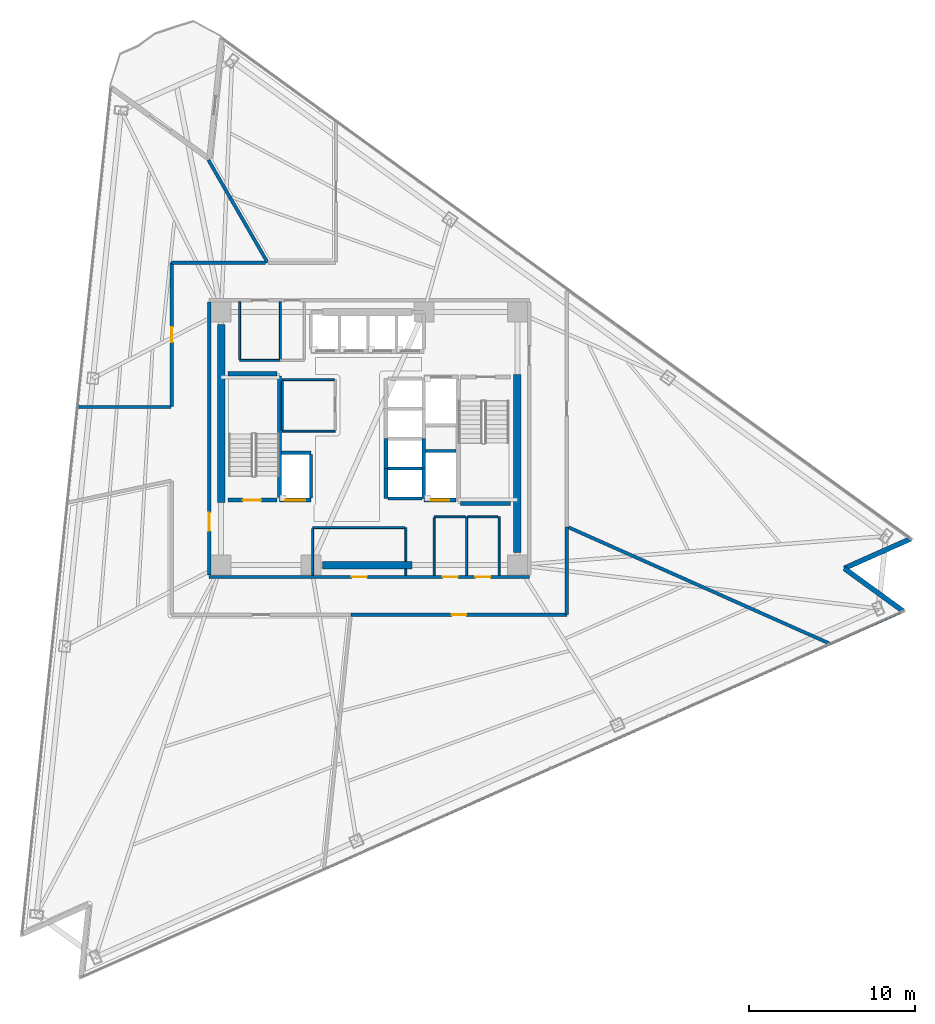
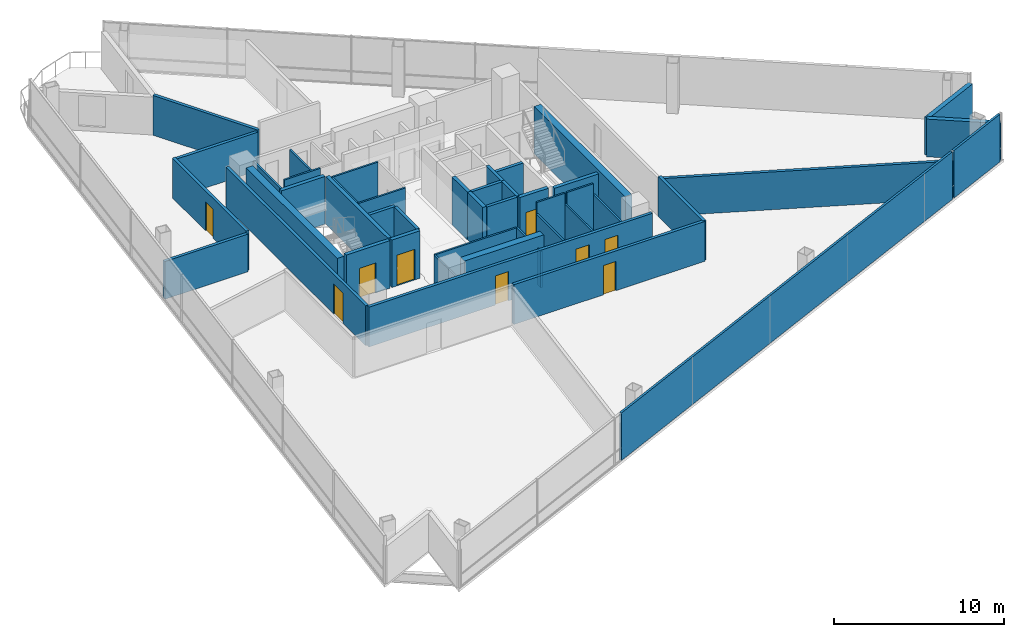
# One storey, part 11 of 16: 46 walls, 9 doors, 9 openings.
"""IFC4 building model written with IfcOpenShell, lengths in metres."""

from ifc_helpers import new_model, si_unit, direction, frame, frame_2d, origin, place, context, subcontext, project, spatial, rectangle, extrude, material, layer, layer_set, type_object, element, fill, save


model = new_model("IFC4")

# Units and contexts
model_context = context("Model", 3, precision=1e-05, world=origin(), true_north=direction((0.0, 1.0)))
body_context = subcontext(model_context, "Body", "Model", "MODEL_VIEW")
ifc_project = project(units=[si_unit("LENGTHUNIT", "METRE"), si_unit("AREAUNIT", "SQUARE_METRE"), si_unit("VOLUMEUNIT", "CUBIC_METRE"), si_unit("PLANEANGLEUNIT", "RADIAN"), si_unit("MASSUNIT", "GRAM", prefix="KILO")], contexts=[model_context])

# Site, building, storey
site_placement = place(None, origin())
site = spatial("IfcSite", under=ifc_project, at=site_placement, CompositionType="ELEMENT")
building_placement = place(site_placement, origin())
building = spatial("IfcBuilding", under=site, at=building_placement, Name="Tharavind Bronze Gate", CompositionType="ELEMENT")
storey_placement = place(building_placement, frame((0.0, 0.0, 130.449951171875)))
storey = spatial("IfcBuildingStorey", under=building, at=storey_placement, Name="L33", CompositionType="ELEMENT", Elevation=130.449951171875)

# Walls
ifc_material_1 = material(Name="Concrete C40/50", Category="concrete")
ifc_layer_1 = layer(ifc_material_1, 0.300048828125)
ifc_layer_set_1 = layer_set([ifc_layer_1], Name="Concrete C40/50")
wall_type_1 = type_object("IfcWallType", Name="EXTERIOR SPANDREL WALL 300", PredefinedType="STANDARD", material=ifc_layer_set_1)
for number, where, z_axis, x_axis, name in (
    (1, (32.099853515625, -10.3759765625, 0.0), (0.0, 0.0, 1.0), (-0.809018008275, 0.587783856777, 0.0), "L33 notch cheek wall 3A"),
    (2, (28.556396484375, -7.801513671875, 0.0), (0.0, 0.0, 1.0), (0.913542411385, 0.406743485013, 0.0), "L33 notch cheek wall 3B"),
):
    element("IfcWall", number, at=place(storey_placement, frame(where, z_axis=z_axis, x_axis=x_axis)), inside=storey, type_object=wall_type_1, Name=name, PredefinedType="STANDARD", context=body_context, shape_type="SweptSolid", body=[
        extrude(rectangle(XDim=4.3798828125, YDim=0.300048828125, at=frame_2d((2.18994140625, 0.0))), origin(), (0.0, 0.0, 1.0), 2.705078125),
    ])

# Wall, openings, doors
ifc_material_2 = material(Name="Aerated Concrete Block", Category="concrete")
ifc_layer_2 = layer(ifc_material_2, 0.199951171875)
ifc_layer_set_2 = layer_set([ifc_layer_2], Name="Aerated Concrete Block")
wall_type_2 = type_object("IfcWallType", Name="FIRE RATED PARTITION 200", PredefinedType="PARTITIONING", material=ifc_layer_set_2)
wall_1_placement = place(storey_placement, frame((-9.6201171875, -8.320068359375, 0.0), z_axis=(0.0, 0.0, 1.0), x_axis=(1.0, 0.0, 0.0)))
wall_1 = element("IfcWall", 3, at=wall_1_placement, inside=storey, type_object=wall_type_2, Name="L33 south core corridor wall", PredefinedType="PARTITIONING", context=body_context, shape_type="SweptSolid", body=[
    extrude(rectangle(XDim=19.240234375, YDim=0.199951171875, at=frame_2d((9.6201171875, 0.0))), origin(), (0.0, 0.0, 1.0), 2.85498046875),
])
opening_1_placement = place(wall_1_placement, frame((8.570068359375, 0.0, 0.0)))
opening_1 = element("IfcOpeningElement", 4, at=opening_1_placement, cuts=wall_1, Name="Opening ID07", PredefinedType="OPENING", context=body_context, shape_type="SweptSolid", body=[
    extrude(rectangle(XDim=0.89990234375, YDim=2.10009765625, at=frame_2d((0.449951171875, 1.050048828125))), frame((0.0, 0.11009765625, 0.0), z_axis=(0.0, -1.0, 0.0), x_axis=(1.0, 0.0, 0.0)), (0.0, 0.0, 1.0), 0.219951171875),
])
opening_2_placement = place(wall_1_placement, frame((14.044921875, 0.0, 0.0)))
opening_2 = element("IfcOpeningElement", 5, at=opening_2_placement, cuts=wall_1, Name="Opening ID07", PredefinedType="OPENING", context=body_context, shape_type="SweptSolid", body=[
    extrude(rectangle(XDim=0.89990234375, YDim=2.10009765625, at=frame_2d((0.449951171875, 1.050048828125))), frame((0.0, 0.11009765625, 0.0), z_axis=(0.0, -1.0, 0.0), x_axis=(1.0, 0.0, 0.0)), (0.0, 0.0, 1.0), 0.219951171875),
])
opening_3_placement = place(wall_1_placement, frame((15.9951171875, 0.0, 0.0)))
opening_3 = element("IfcOpeningElement", 6, at=opening_3_placement, cuts=wall_1, Name="Opening ID07", PredefinedType="OPENING", context=body_context, shape_type="SweptSolid", body=[
    extrude(rectangle(XDim=0.89990234375, YDim=2.10009765625, at=frame_2d((0.449951171875, 1.050048828125))), frame((0.0, 0.11009765625, 0.0), z_axis=(0.0, -1.0, 0.0), x_axis=(1.0, 0.0, 0.0)), (0.0, 0.0, 1.0), 0.219951171875),
])
ifc_material_3 = material(Name="Galvanised Fire Steel", Category="steel")
door_type_1 = type_object("IfcDoorType", Name="PLANT AND RISER FIRE DOOR 900X2100", OperationType="SINGLE_SWING_LEFT", PredefinedType="DOOR", material=ifc_material_3)
door_1_placement = place(opening_1_placement, origin())
door_1 = element("IfcDoor", 7, at=door_1_placement, inside=storey, type_object=door_type_1, Name="L33 Core BMS Control Room fire door", OperationType="SINGLE_SWING_LEFT", OverallHeight=2.10009765625, OverallWidth=0.89990234375, PredefinedType="DOOR", context=body_context, shape_type="SweptSolid", body=[
    extrude(rectangle(XDim=0.89990234375, YDim=2.10009765625, at=frame_2d((0.449951171875, 1.050048828125))), frame((0.0, 0.02490234375, 0.0), z_axis=(0.0, -1.0, 0.0), x_axis=(1.0, 0.0, 0.0)), (0.0, 0.0, 1.0), 0.050048828125),
])
fill(opening_1, door_1)
door_2_placement = place(opening_2_placement, origin())
door_2 = element("IfcDoor", 8, at=door_2_placement, inside=storey, type_object=door_type_1, Name="L33 Comms Patch Room fire door", OperationType="SINGLE_SWING_LEFT", OverallHeight=2.10009765625, OverallWidth=0.89990234375, PredefinedType="DOOR", context=body_context, shape_type="SweptSolid", body=[
    extrude(rectangle(XDim=0.89990234375, YDim=2.10009765625, at=frame_2d((0.449951171875, 1.050048828125))), frame((0.0, 0.02490234375, 0.0), z_axis=(0.0, -1.0, 0.0), x_axis=(1.0, 0.0, 0.0)), (0.0, 0.0, 1.0), 0.050048828125),
])
fill(opening_2, door_2)
door_3_placement = place(opening_3_placement, origin())
door_3 = element("IfcDoor", 9, at=door_3_placement, inside=storey, type_object=door_type_1, Name="L33 Housekeeping Store fire door", OperationType="SINGLE_SWING_LEFT", OverallHeight=2.10009765625, OverallWidth=0.89990234375, PredefinedType="DOOR", context=body_context, shape_type="SweptSolid", body=[
    extrude(rectangle(XDim=0.89990234375, YDim=2.10009765625, at=frame_2d((0.449951171875, 1.050048828125))), frame((0.0, 0.02490234375, 0.0), z_axis=(0.0, -1.0, 0.0), x_axis=(1.0, 0.0, 0.0)), (0.0, 0.0, 1.0), 0.050048828125),
])
fill(opening_3, door_3)

# Wall, opening, door
wall_2_placement = place(storey_placement, frame((-9.6201171875, 8.199951171875, 0.0), z_axis=(0.0, 0.0, 1.0), x_axis=(0.0, -1.0, 0.0)))
wall_2 = element("IfcWall", 10, at=wall_2_placement, inside=storey, type_object=wall_type_2, Name="L33 west core corridor wall", PredefinedType="PARTITIONING", context=body_context, shape_type="SweptSolid", body=[
    extrude(rectangle(XDim=16.39990234375, YDim=0.199951171875, at=frame_2d((8.199951171875, 0.0))), origin(), (0.0, 0.0, 1.0), 2.85498046875),
])
opening_4_placement = place(wall_2_placement, frame((12.64990234375, 0.0, 0.0)))
opening_4 = element("IfcOpeningElement", 11, at=opening_4_placement, cuts=wall_2, Name="Opening ID01", PredefinedType="OPENING", context=body_context, shape_type="SweptSolid", body=[
    extrude(rectangle(XDim=1.10009765625, YDim=2.14990234375, at=frame_2d((0.550048828125, 1.074951171875))), frame((0.0, 0.11009765625, 0.0), z_axis=(0.0, -1.0, 0.0), x_axis=(1.0, 0.0, 0.0)), (0.0, 0.0, 1.0), 0.219951171875),
])
ifc_material_4 = material(Name="Fire-Rated Steel", Category="steel")
door_type_2 = type_object("IfcDoorType", Name="STAIR CORE FIRE DOOR 1100X2150", OperationType="SINGLE_SWING_LEFT", PredefinedType="DOOR", material=ifc_material_4)
door_4_placement = place(opening_4_placement, frame((1.10009765625, 0.0, 0.0), z_axis=(0.0, 0.0, 1.0), x_axis=(-1.0, 0.0, 0.0)))
door_4 = element("IfcDoor", 12, at=door_4_placement, inside=storey, type_object=door_type_2, Name="L33 south west stair lobby fire door", OperationType="SINGLE_SWING_LEFT", OverallHeight=2.14990234375, OverallWidth=1.10009765625, PredefinedType="DOOR", context=body_context, shape_type="SweptSolid", body=[
    extrude(rectangle(XDim=1.10009765625, YDim=2.14990234375, at=frame_2d((0.550048828125, 1.074951171875))), frame((0.0, 0.02490234375, 0.0), z_axis=(0.0, -1.0, 0.0), x_axis=(1.0, 0.0, 0.0)), (0.0, 0.0, 1.0), 0.050048828125),
])
fill(opening_4, door_4)

wall_3_placement = place(storey_placement, frame((-1.089599609375, -10.580078125, 0.0), z_axis=(0.0, 0.0, 1.0), x_axis=(1.0, 0.0, 0.0)))
wall_3 = element("IfcWall", 13, at=wall_3_placement, inside=storey, type_object=wall_type_2, Name="L33 Public Restrooms Block partition", PredefinedType="PARTITIONING", context=body_context, shape_type="SweptSolid", body=[
    extrude(rectangle(XDim=12.968994140625, YDim=0.199951171875, at=frame_2d((6.484375, 0.0))), origin(), (0.0, 0.0, 1.0), 2.85498046875),
])
opening_5_placement = place(wall_3_placement, frame((6.05908203125, 0.0, 0.0)))
opening_5 = element("IfcOpeningElement", 14, at=opening_5_placement, cuts=wall_3, Name="Opening ID06", PredefinedType="OPENING", context=body_context, shape_type="SweptSolid", body=[
    extrude(rectangle(XDim=0.85009765625, YDim=2.10009765625, at=frame_2d((0.425048828125, 1.050048828125))), frame((0.0, 0.11009765625, 0.0), z_axis=(0.0, -1.0, 0.0), x_axis=(1.0, 0.0, 0.0)), (0.0, 0.0, 1.0), 0.219951171875),
])
ifc_material_5 = material(Name="Moisture-Resistant Timber", Category="wood")
door_type_3 = type_object("IfcDoorType", Name="BATHROOM PRIVACY DOOR 850X2100", OperationType="SINGLE_SWING_RIGHT", PredefinedType="DOOR", material=ifc_material_5)
door_5_placement = place(opening_5_placement, origin())
door_5 = element("IfcDoor", 15, at=door_5_placement, inside=storey, type_object=door_type_3, Name="L33 Public Restrooms Block door", OperationType="SINGLE_SWING_RIGHT", OverallHeight=2.10009765625, OverallWidth=0.85009765625, PredefinedType="DOOR", context=body_context, shape_type="SweptSolid", body=[
    extrude(rectangle(XDim=0.85009765625, YDim=2.10009765625, at=frame_2d((0.425048828125, 1.050048828125))), frame((0.0, 0.02490234375, 0.0), z_axis=(0.0, -1.0, 0.0), x_axis=(1.0, 0.0, 0.0)), (0.0, 0.0, 1.0), 0.050048828125),
])
fill(opening_5, door_5)

# Walls
wall_4_placement = place(storey_placement, frame((11.8798828125, -10.579345703125, 0.0), z_axis=(0.0, 0.0, 1.0), x_axis=(0.0, 1.0, 0.0)))
element("IfcWall", 16, at=wall_4_placement, inside=storey, type_object=wall_type_2, Name="L33 Public Restrooms Block partition", PredefinedType="PARTITIONING", context=body_context, shape_type="SweptSolid", body=[
    extrude(rectangle(XDim=5.25146484375, YDim=0.199951171875, at=frame_2d((2.625732421875, 0.0))), origin(), (0.0, 0.0, 1.0), 2.85498046875),
])
wall_5_placement = place(storey_placement, frame((11.985107421875, -5.336181640625, 0.0), z_axis=(0.0, 0.0, 1.0), x_axis=(0.913548025885, -0.406730874659, 0.0)))
element("IfcWall", 17, at=wall_5_placement, inside=storey, type_object=wall_type_2, Name="L33 Public Restrooms Block partition", PredefinedType="PARTITIONING", context=body_context, shape_type="SweptSolid", body=[
    extrude(rectangle(XDim=17.204345703125, YDim=0.199951171875, at=frame_2d((8.60205078125, 0.0))), origin(), (0.0, 0.0, 1.0), 2.705078125),
])
wall_6_placement = place(storey_placement, frame((-6.115478515625, 10.592529296875, 0.0), z_axis=(0.0, 0.0, 1.0), x_axis=(-0.50001885532, 0.866014517387, 0.0)))
element("IfcWall", 18, at=wall_6_placement, inside=storey, type_object=wall_type_2, Name="L33 Executive Forum Hall partition", PredefinedType="PARTITIONING", context=body_context, shape_type="SweptSolid", body=[
    extrude(rectangle(XDim=7.106201171875, YDim=0.199951171875, at=frame_2d((3.55322265625, 0.0))), origin(), (0.0, 0.0, 1.0), 2.85498046875),
])
wall_7_placement = place(storey_placement, frame((-6.2294921875, 10.580078125, 0.0), z_axis=(0.0, 0.0, 1.0), x_axis=(-1.0, 0.0, 0.0)))
element("IfcWall", 19, at=wall_7_placement, inside=storey, type_object=wall_type_2, Name="L33 Catering Kitchen partition", PredefinedType="PARTITIONING", context=body_context, shape_type="SweptSolid", body=[
    extrude(rectangle(XDim=5.64990234375, YDim=0.199951171875, at=frame_2d((2.824951171875, 0.0))), origin(), (0.0, 0.0, 1.0), 2.755126953125),
])

# Wall, opening, door
wall_8_placement = place(storey_placement, frame((-11.8798828125, 10.579345703125, 0.0), z_axis=(0.0, 0.0, 1.0), x_axis=(0.0, -1.0, 0.0)))
wall_8 = element("IfcWall", 20, at=wall_8_placement, inside=storey, type_object=wall_type_2, Name="L33 Catering Kitchen partition", PredefinedType="PARTITIONING", context=body_context, shape_type="SweptSolid", body=[
    extrude(rectangle(XDim=8.654296875, YDim=0.199951171875, at=frame_2d((4.3271484375, 0.0))), origin(), (0.0, 0.0, 1.0), 2.85498046875),
])
opening_6_placement = place(wall_8_placement, frame((3.876953125, 0.0, 0.0)))
opening_6 = element("IfcOpeningElement", 21, at=opening_6_placement, cuts=wall_8, Name="Opening ID07", PredefinedType="OPENING", context=body_context, shape_type="SweptSolid", body=[
    extrude(rectangle(XDim=0.89990234375, YDim=2.10009765625, at=frame_2d((0.449951171875, 1.050048828125))), frame((0.0, 0.11009765625, 0.0), z_axis=(0.0, -1.0, 0.0), x_axis=(1.0, 0.0, 0.0)), (0.0, 0.0, 1.0), 0.219951171875),
])
door_6_placement = place(opening_6_placement, origin())
door_6 = element("IfcDoor", 22, at=door_6_placement, inside=storey, type_object=door_type_1, Name="L33 Catering Kitchen door", OperationType="SINGLE_SWING_LEFT", OverallHeight=2.10009765625, OverallWidth=0.89990234375, PredefinedType="DOOR", context=body_context, shape_type="SweptSolid", body=[
    extrude(rectangle(XDim=0.89990234375, YDim=2.10009765625, at=frame_2d((0.449951171875, 1.050048828125))), frame((0.0, 0.02490234375, 0.0), z_axis=(0.0, -1.0, 0.0), x_axis=(1.0, 0.0, 0.0)), (0.0, 0.0, 1.0), 0.050048828125),
])
fill(opening_6, door_6)

# Walls
wall_9_placement = place(storey_placement, frame((-11.905029296875, 1.89990234375, 0.0), z_axis=(0.0, 0.0, 1.0), x_axis=(-1.0, 0.0, 0.0)))
element("IfcWall", 23, at=wall_9_placement, inside=storey, type_object=wall_type_2, Name="L33 Catering Kitchen partition", PredefinedType="PARTITIONING", context=body_context, shape_type="SweptSolid", body=[
    extrude(rectangle(XDim=5.640869140625, YDim=0.199951171875, at=frame_2d((2.8203125, 0.0))), origin(), (0.0, 0.0, 1.0), 2.705078125),
])
ifc_material_6 = material(Name="Metal Stud Gypsum Partition", Category="gypsum")
ifc_layer_3 = layer(ifc_material_6, 0.1201171875)
ifc_layer_set_3 = layer_set([ifc_layer_3], Name="Metal Stud Gypsum Partition")
wall_type_3 = type_object("IfcWallType", Name="INTERIOR PARTITION WALL 120", PredefinedType="PARTITIONING", material=ifc_layer_set_3)
wall_10_placement = place(storey_placement, frame((-5.219970703125, 0.449951171875, 0.0), z_axis=(0.0, 0.0, 1.0), x_axis=(1.0, 0.0, 0.0)))
element("IfcWall", 24, at=wall_10_placement, inside=storey, type_object=wall_type_3, Name="L33 Electrical & Telecom Store partition 1", PredefinedType="PARTITIONING", context=body_context, shape_type="SweptSolid", body=[
    extrude(rectangle(XDim=3.169921875, YDim=0.1201171875, at=frame_2d((1.5849609375, 0.0))), origin(), (0.0, 0.0, 1.0), 3.41015625),
])
wall_11_placement = place(storey_placement, frame((-2.114990234375, 3.550048828125, 0.0), z_axis=(0.0, 0.0, 1.0), x_axis=(-1.0, 0.0, 0.0)))
element("IfcWall", 25, at=wall_11_placement, inside=storey, type_object=wall_type_3, Name="L33 Electrical & Telecom Store partition 3", PredefinedType="PARTITIONING", context=body_context, shape_type="SweptSolid", body=[
    extrude(rectangle(XDim=3.10498046875, YDim=0.1201171875, at=frame_2d((1.552490234375, 0.0))), origin(), (0.0, 0.0, 1.0), 3.41015625),
])
wall_12_placement = place(storey_placement, frame((-5.219970703125, 3.485107421875, 0.0), z_axis=(0.0, 0.0, 1.0), x_axis=(0.0, -1.0, 0.0)))
element("IfcWall", 26, at=wall_12_placement, inside=storey, type_object=wall_type_3, Name="L33 Electrical & Telecom Store partition 4", PredefinedType="PARTITIONING", context=body_context, shape_type="SweptSolid", body=[
    extrude(rectangle(XDim=2.97021484375, YDim=0.1201171875, at=frame_2d((1.485107421875, 0.0))), origin(), (0.0, 0.0, 1.0), 3.41015625),
])
wall_13_placement = place(storey_placement, frame((2.199951171875, -8.215087890625, 0.0), z_axis=(0.0, 0.0, 1.0), x_axis=(0.0, 1.0, 0.0)))
element("IfcWall", 27, at=wall_13_placement, inside=storey, type_object=wall_type_3, Name="L33 Core BMS Control Room partition 2", PredefinedType="PARTITIONING", context=body_context, shape_type="SweptSolid", body=[
    extrude(rectangle(XDim=0.385009765625, YDim=0.1201171875, at=frame_2d((0.1923828125, 0.0))), origin(), (0.0, 0.0, 1.0), 2.60498046875),
])
wall_14_placement = place(storey_placement, frame((2.199951171875, -7.3701171875, 0.0), z_axis=(0.0, 0.0, 1.0), x_axis=(0.0, 1.0, 0.0)))
element("IfcWall", 28, at=wall_14_placement, inside=storey, type_object=wall_type_3, Name="L33 Core BMS Control Room partition 2", PredefinedType="PARTITIONING", context=body_context, shape_type="SweptSolid", body=[
    extrude(rectangle(XDim=2.02001953125, YDim=0.1201171875, at=frame_2d((1.010009765625, 0.0))), origin(), (0.0, 0.0, 1.0), 2.60498046875),
])
wall_15_placement = place(storey_placement, frame((2.135009765625, -5.35009765625, 0.0), z_axis=(0.0, 0.0, 1.0), x_axis=(-1.0, 0.0, 0.0)))
element("IfcWall", 29, at=wall_15_placement, inside=storey, type_object=wall_type_3, Name="L33 Core BMS Control Room partition 3", PredefinedType="PARTITIONING", context=body_context, shape_type="SweptSolid", body=[
    extrude(rectangle(XDim=5.534912109375, YDim=0.1201171875, at=frame_2d((2.767578125, 0.0))), origin(), (0.0, 0.0, 1.0), 2.60498046875),
])
wall_16_placement = place(storey_placement, frame((-3.39990234375, -5.4150390625, 0.0), z_axis=(0.0, 0.0, 1.0), x_axis=(0.0, -1.0, 0.0)))
element("IfcWall", 30, at=wall_16_placement, inside=storey, type_object=wall_type_3, Name="L33 Core BMS Control Room partition 4", PredefinedType="PARTITIONING", context=body_context, shape_type="SweptSolid", body=[
    extrude(rectangle(XDim=2.800048828125, YDim=0.1201171875, at=frame_2d((1.39990234375, 0.0))), origin(), (0.0, 0.0, 1.0), 2.60498046875),
])
wall_17_placement = place(storey_placement, frame((-7.800048828125, 4.699951171875, 0.0), z_axis=(0.0, 0.0, 1.0), x_axis=(1.0, 0.0, 0.0)))
element("IfcWall", 31, at=wall_17_placement, inside=storey, type_object=wall_type_3, Name="L33 Electrical Metering Room partition 1", PredefinedType="PARTITIONING", context=body_context, shape_type="SweptSolid", body=[
    extrude(rectangle(XDim=2.449951171875, YDim=0.1201171875, at=frame_2d((1.22509765625, 0.0))), origin(), (0.0, 0.0, 1.0), 3.41015625),
])
for number, where, z_axis, x_axis, name in (
    (32, (-5.35009765625, 4.764892578125, 0.0), (0.0, 0.0, 1.0), (0.0, 1.0, 0.0), "L33 Electrical Metering Room partition 2"),
    (33, (-7.800048828125, 8.215087890625, 0.0), (0.0, 0.0, 1.0), (0.0, -1.0, 0.0), "L33 Electrical Metering Room partition 4"),
):
    element("IfcWall", number, at=place(storey_placement, frame(where, z_axis=z_axis, x_axis=x_axis)), inside=storey, type_object=wall_type_3, Name=name, PredefinedType="PARTITIONING", context=body_context, shape_type="SweptSolid", body=[
        extrude(rectangle(XDim=3.4501953125, YDim=0.1201171875, at=frame_2d((1.72509765625, 0.0))), origin(), (0.0, 0.0, 1.0), 2.60498046875),
    ])
wall_18_placement = place(storey_placement, frame((5.85009765625, -8.215087890625, 0.0), z_axis=(0.0, 0.0, 1.0), x_axis=(0.0, 1.0, 0.0)))
element("IfcWall", 34, at=wall_18_placement, inside=storey, type_object=wall_type_3, Name="L33 Comms Patch Room partition 2", PredefinedType="PARTITIONING", context=body_context, shape_type="SweptSolid", body=[
    extrude(rectangle(XDim=3.51513671875, YDim=0.1201171875, at=frame_2d((1.757568359375, 0.0))), origin(), (0.0, 0.0, 1.0), 2.60498046875),
])
wall_19_placement = place(storey_placement, frame((5.784912109375, -4.699951171875, 0.0), z_axis=(0.0, 0.0, 1.0), x_axis=(-1.0, 0.0, 0.0)))
element("IfcWall", 35, at=wall_19_placement, inside=storey, type_object=wall_type_3, Name="L33 Comms Patch Room partition 3", PredefinedType="PARTITIONING", context=body_context, shape_type="SweptSolid", body=[
    extrude(rectangle(XDim=1.885009765625, YDim=0.1201171875, at=frame_2d((0.9423828125, 0.0))), origin(), (0.0, 0.0, 1.0), 3.41015625),
])
wall_20_placement = place(storey_placement, frame((3.89990234375, -4.764892578125, 0.0), z_axis=(0.0, 0.0, 1.0), x_axis=(0.0, -1.0, 0.0)))
element("IfcWall", 36, at=wall_20_placement, inside=storey, type_object=wall_type_3, Name="L33 Comms Patch Room partition 4", PredefinedType="PARTITIONING", context=body_context, shape_type="SweptSolid", body=[
    extrude(rectangle(XDim=3.4501953125, YDim=0.1201171875, at=frame_2d((1.72509765625, 0.0))), origin(), (0.0, 0.0, 1.0), 2.60498046875),
])
wall_21_placement = place(storey_placement, frame((7.800048828125, -8.215087890625, 0.0), z_axis=(0.0, 0.0, 1.0), x_axis=(0.0, 1.0, 0.0)))
element("IfcWall", 37, at=wall_21_placement, inside=storey, type_object=wall_type_3, Name="L33 Housekeeping Store partition 2", PredefinedType="PARTITIONING", context=body_context, shape_type="SweptSolid", body=[
    extrude(rectangle(XDim=3.51513671875, YDim=0.1201171875, at=frame_2d((1.757568359375, 0.0))), origin(), (0.0, 0.0, 1.0), 2.60498046875),
])
wall_22_placement = place(storey_placement, frame((7.735107421875, -4.699951171875, 0.0), z_axis=(0.0, 0.0, 1.0), x_axis=(-1.0, 0.0, 0.0)))
element("IfcWall", 38, at=wall_22_placement, inside=storey, type_object=wall_type_3, Name="L33 Housekeeping Store partition 3", PredefinedType="PARTITIONING", context=body_context, shape_type="SweptSolid", body=[
    extrude(rectangle(XDim=1.820068359375, YDim=0.1201171875, at=frame_2d((0.91015625, 0.0))), origin(), (0.0, 0.0, 1.0), 3.41015625),
])
ifc_material_7 = material(Name="Twin Stud Acoustic Gypsum", Category="gypsum")
ifc_layer_4 = layer(ifc_material_7, 0.14990234375)
ifc_layer_set_4 = layer_set([ifc_layer_4], Name="Twin Stud Acoustic Gypsum")
wall_type_4 = type_object("IfcWallType", Name="INTERIOR PARTITION WALL 150", PredefinedType="PARTITIONING", material=ifc_layer_set_4)
wall_23_placement = place(storey_placement, frame((27.5732421875, -12.391357421875, 0.0), z_axis=(0.0, 0.0, 1.0), x_axis=(-0.913546244788, -0.406734875113, 0.0)))
element("IfcWall", 39, at=wall_23_placement, inside=storey, type_object=wall_type_4, Name="L33 Public Restrooms Block partition", PredefinedType="PARTITIONING", context=body_context, shape_type="SweptSolid", body=[
    extrude(rectangle(XDim=33.03857421875, YDim=0.14990234375, at=frame_2d((16.519287109375, 0.0))), origin(), (0.0, 0.0, 1.0), 3.41015625),
])
wall_24_placement = place(storey_placement, frame((31.936279296875, -10.44873046875, 0.0), z_axis=(0.0, 0.0, 1.0), x_axis=(-0.913543524748, -0.406740984401, 0.0)))
element("IfcWall", 40, at=wall_24_placement, inside=storey, type_object=wall_type_4, Name="L33 Public Restrooms Block partition", PredefinedType="PARTITIONING", context=body_context, shape_type="SweptSolid", body=[
    extrude(rectangle(XDim=4.62353515625, YDim=0.14990234375, at=frame_2d((2.311767578125, 0.0))), origin(), (0.0, 0.0, 1.0), 3.41015625),
])
ifc_material_8 = material(Name="Concrete C50/60", Category="concrete")
ifc_layer_5 = layer(ifc_material_8, 0.25)
ifc_layer_set_5 = layer_set([ifc_layer_5], Name="Concrete C50/60")
wall_type_5 = type_object("IfcWallType", Name="RC CORE SHEAR WALL 250", PredefinedType="SHEAR", material=ifc_layer_set_5)
wall_25_placement = place(storey_placement, frame((-5.39990234375, -3.550048828125, 0.0), z_axis=(0.0, 0.0, 1.0), x_axis=(0.0, 1.0, 0.0)))
element("IfcWall", 41, at=wall_25_placement, inside=storey, type_object=wall_type_5, Name="L33 ST1 shaft east wall", PredefinedType="SHEAR", context=body_context, shape_type="SweptSolid", body=[
    extrude(rectangle(XDim=7.300048828125, YDim=0.25, at=frame_2d((3.64990234375, 0.0))), origin(), (0.0, 0.0, 1.0), 3.41015625),
])

# Wall, opening, door
wall_26_placement = place(storey_placement, frame((-8.5, -3.699951171875, 0.0), z_axis=(0.0, 0.0, 1.0), x_axis=(1.0, 0.0, 0.0)))
wall_26 = element("IfcWall", 42, at=wall_26_placement, inside=storey, type_object=wall_type_5, Name="L33 ST1 shaft south wall", PredefinedType="SHEAR", context=body_context, shape_type="SweptSolid", body=[
    extrude(rectangle(XDim=2.949951171875, YDim=0.25, at=frame_2d((1.47509765625, 0.0))), origin(), (0.0, 0.0, 1.0), 3.41015625),
])
opening_7_placement = place(wall_26_placement, frame((0.89990234375, 0.0, 0.0)))
opening_7 = element("IfcOpeningElement", 43, at=opening_7_placement, cuts=wall_26, Name="Opening ID01", PredefinedType="OPENING", context=body_context, shape_type="SweptSolid", body=[
    extrude(rectangle(XDim=1.10009765625, YDim=2.14990234375, at=frame_2d((0.550048828125, 1.074951171875))), frame((0.0, 0.135, 0.0), z_axis=(0.0, -1.0, 0.0), x_axis=(1.0, 0.0, 0.0)), (0.0, 0.0, 1.0), 0.27),
])
door_7_placement = place(opening_7_placement, origin())
door_7 = element("IfcDoor", 44, at=door_7_placement, inside=storey, type_object=door_type_2, Name="L33 exit stair ST1 fire door", OperationType="SINGLE_SWING_LEFT", OverallHeight=2.14990234375, OverallWidth=1.10009765625, PredefinedType="DOOR", context=body_context, shape_type="SweptSolid", body=[
    extrude(rectangle(XDim=1.10009765625, YDim=2.14990234375, at=frame_2d((0.550048828125, 1.074951171875))), frame((0.0, 0.02490234375, 0.0), z_axis=(0.0, -1.0, 0.0), x_axis=(1.0, 0.0, 0.0)), (0.0, 0.0, 1.0), 0.050048828125),
])
fill(opening_7, door_7)

# Walls
wall_27_placement = place(storey_placement, frame((-8.5, 3.89990234375, 0.0), z_axis=(0.0, 0.0, 1.0), x_axis=(1.0, 0.0, 0.0)))
element("IfcWall", 45, at=wall_27_placement, inside=storey, type_object=wall_type_5, Name="L33 ST1 shaft north wall", PredefinedType="SHEAR", context=body_context, shape_type="SweptSolid", body=[
    extrude(rectangle(XDim=2.949951171875, YDim=0.25, at=frame_2d((1.47509765625, 0.0))), origin(), (0.0, 0.0, 1.0), 3.41015625),
])
wall_28_placement = place(storey_placement, frame((5.5, -3.89990234375, 0.0), z_axis=(0.0, 0.0, 1.0), x_axis=(1.0, 0.0, 0.0)))
element("IfcWall", 46, at=wall_28_placement, inside=storey, type_object=wall_type_5, Name="L33 ST2 shaft south wall", PredefinedType="SHEAR", context=body_context, shape_type="SweptSolid", body=[
    extrude(rectangle(XDim=3.0, YDim=0.25, at=frame_2d((1.5, 0.0))), origin(), (0.0, 0.0, 1.0), 3.41015625),
])
for number, where, z_axis, x_axis, name in (
    (47, (1.0, -3.60009765625, 0.0), (0.0, 0.0, 1.0), (0.0, 1.0, 0.0), "L33 lift PL9 shaft front wall"),
    (48, (1.0, -1.800048828125, 0.0), (0.0, 0.0, 1.0), (0.0, 1.0, 0.0), "L33 lift PL10 shaft front wall"),
):
    element("IfcWall", number, at=place(storey_placement, frame(where, z_axis=z_axis, x_axis=x_axis)), inside=storey, type_object=wall_type_5, Name=name, PredefinedType="SHEAR", context=body_context, shape_type="SweptSolid", body=[
        extrude(rectangle(XDim=1.800048828125, YDim=0.25, at=frame_2d((0.89990234375, 0.0))), origin(), (0.0, 0.0, 1.0), 3.41015625),
    ])

# Wall, opening, door
wall_29_placement = place(storey_placement, frame((-5.39990234375, -3.699951171875, 0.0), z_axis=(0.0, 0.0, 1.0), x_axis=(1.0, 0.0, 0.0)))
wall_29 = element("IfcWall", 49, at=wall_29_placement, inside=storey, type_object=wall_type_5, Name="L33 lift FFL1 shaft front wall", PredefinedType="SHEAR", context=body_context, shape_type="SweptSolid", body=[
    extrude(rectangle(XDim=1.89990234375, YDim=0.25, at=frame_2d((0.949951171875, 0.0))), origin(), (0.0, 0.0, 1.0), 3.41015625),
])
opening_8_placement = place(wall_29_placement, frame((0.35009765625, 0.0, 0.0)))
opening_8 = element("IfcOpeningElement", 50, at=opening_8_placement, cuts=wall_29, Name="Opening LD02", PredefinedType="OPENING", context=body_context, shape_type="SweptSolid", body=[
    extrude(rectangle(XDim=1.199951171875, YDim=2.199951171875, at=frame_2d((0.60009765625, 1.10009765625))), frame((0.0, 0.135, 0.0), z_axis=(0.0, -1.0, 0.0), x_axis=(1.0, 0.0, 0.0)), (0.0, 0.0, 1.0), 0.27),
])
ifc_material_9 = material(Name="Brushed Stainless Steel", Category="steel")
door_type_4 = type_object("IfcDoorType", Name="FIREFIGHTING LIFT LANDING DOOR 1200X2200", OperationType="SLIDING_TO_RIGHT", PredefinedType="DOOR", material=ifc_material_9)
door_8_placement = place(opening_8_placement, origin())
door_8 = element("IfcDoor", 51, at=door_8_placement, inside=storey, type_object=door_type_4, Name="L33 lift FFL1 sliding landing door", OperationType="SLIDING_TO_RIGHT", OverallHeight=2.199951171875, OverallWidth=1.199951171875, PredefinedType="DOOR", context=body_context, shape_type="SweptSolid", body=[
    extrude(rectangle(XDim=1.199951171875, YDim=2.199951171875, at=frame_2d((0.60009765625, 1.10009765625))), frame((0.0, 0.02490234375, 0.0), z_axis=(0.0, -1.0, 0.0), x_axis=(1.0, 0.0, 0.0)), (0.0, 0.0, 1.0), 0.050048828125),
])
fill(opening_8, door_8)

wall_30_placement = place(storey_placement, frame((3.280029296875, -3.699951171875, 0.0), z_axis=(0.0, 0.0, 1.0), x_axis=(1.0, 0.0, 0.0)))
wall_30 = element("IfcWall", 52, at=wall_30_placement, inside=storey, type_object=wall_type_5, Name="L33 lift SVL1 shaft front wall", PredefinedType="SHEAR", context=body_context, shape_type="SweptSolid", body=[
    extrude(rectangle(XDim=1.93994140625, YDim=0.25, at=frame_2d((0.969970703125, 0.0))), origin(), (0.0, 0.0, 1.0), 3.41015625),
])
opening_9_placement = place(wall_30_placement, frame((0.419921875, 0.0, 0.0)))
opening_9 = element("IfcOpeningElement", 53, at=opening_9_placement, cuts=wall_30, Name="Opening LD01", PredefinedType="OPENING", context=body_context, shape_type="SweptSolid", body=[
    extrude(rectangle(XDim=1.10009765625, YDim=2.199951171875, at=frame_2d((0.550048828125, 1.10009765625))), frame((0.0, 0.135, 0.0), z_axis=(0.0, -1.0, 0.0), x_axis=(1.0, 0.0, 0.0)), (0.0, 0.0, 1.0), 0.27),
])
ifc_material_10 = material(Name="Brushed Bronze Stainless Steel", Category="steel")
door_type_5 = type_object("IfcDoorType", Name="LIFT LANDING SLIDING DOOR 1100X2200", OperationType="SLIDING_TO_LEFT", PredefinedType="DOOR", material=ifc_material_10)
door_9_placement = place(opening_9_placement, origin())
door_9 = element("IfcDoor", 54, at=door_9_placement, inside=storey, type_object=door_type_5, Name="L33 lift SVL1 sliding landing door", OperationType="SLIDING_TO_LEFT", OverallHeight=2.199951171875, OverallWidth=1.10009765625, PredefinedType="DOOR", context=body_context, shape_type="SweptSolid", body=[
    extrude(rectangle(XDim=1.10009765625, YDim=2.199951171875, at=frame_2d((0.550048828125, 1.10009765625))), frame((0.0, 0.02490234375, 0.0), z_axis=(0.0, -1.0, 0.0), x_axis=(1.0, 0.0, 0.0)), (0.0, 0.0, 1.0), 0.050048828125),
])
fill(opening_9, door_9)

# Walls
ifc_material_11 = material(Name="Concrete C60/75", Category="concrete")
ifc_layer_6 = layer(ifc_material_11, 0.449951171875)
ifc_layer_set_6 = layer_set([ifc_layer_6], Name="Concrete C60/75")
wall_type_6 = type_object("IfcWallType", Name="RC CORE SHEAR WALL 450", PredefinedType="SHEAR", material=ifc_layer_set_6)
wall_31_placement = place(storey_placement, frame((-2.800048828125, -7.60009765625, 0.0), z_axis=(0.0, 0.0, 1.0), x_axis=(1.0, 0.0, 0.0)))
element("IfcWall", 55, at=wall_31_placement, inside=storey, type_object=wall_type_6, Name="L33 south core shear wall", PredefinedType="SHEAR", context=body_context, shape_type="SweptSolid", body=[
    extrude(rectangle(XDim=5.380126953125, YDim=0.449951171875, at=frame_2d((2.68994140625, 0.0))), origin(), (0.0, 0.0, 1.0), 3.41015625),
])
for number, where, z_axis, x_axis, name in (
    (56, (-8.89990234375, -3.85009765625, 0.0), (0.0, 0.0, 1.0), (0.0, 1.0, 0.0), "L33 west core shear wall"),
    (57, (8.89990234375, -6.85009765625, 0.0), (0.0, 0.0, 1.0), (0.0, 1.0, 0.0), "L33 east core shear wall"),
):
    element("IfcWall", number, at=place(storey_placement, frame(where, z_axis=z_axis, x_axis=x_axis)), inside=storey, type_object=wall_type_6, Name=name, PredefinedType="SHEAR", context=body_context, shape_type="SweptSolid", body=[
        extrude(rectangle(XDim=10.7001953125, YDim=0.449951171875, at=frame_2d((5.35009765625, 0.0))), origin(), (0.0, 0.0, 1.0), 3.41015625),
    ])
ifc_layer_7 = layer(ifc_material_1, 0.199951171875)
ifc_layer_set_7 = layer_set([ifc_layer_7], Name="Concrete C40/50")
wall_type_7 = type_object("IfcWallType", Name="SHAFT ENCLOSURE WALL 200", PredefinedType="PARTITIONING", material=ifc_layer_set_7)
wall_32_placement = place(storey_placement, frame((3.280029296875, -3.60009765625, 0.0), z_axis=(0.0, 0.0, 1.0), x_axis=(0.0, 1.0, 0.0)))
element("IfcWall", 58, at=wall_32_placement, inside=storey, type_object=wall_type_7, Name="L33 lift PL9 shaft E enclosure wall", PredefinedType="PARTITIONING", context=body_context, shape_type="SweptSolid", body=[
    extrude(rectangle(XDim=1.800048828125, YDim=0.199951171875, at=frame_2d((0.89990234375, 0.0))), origin(), (0.0, 0.0, 1.0), 3.41015625),
])
for number, where, z_axis, x_axis, name in (
    (59, (1.1298828125, -3.60009765625, 0.0), (0.0, 0.0, 1.0), (1.0, 0.0, 0.0), "L33 lift PL9 shaft S enclosure wall"),
    (60, (1.1298828125, -1.800048828125, 0.0), (0.0, 0.0, 1.0), (1.0, 0.0, 0.0), "L33 lift PL9 shaft N enclosure wall"),
):
    element("IfcWall", number, at=place(storey_placement, frame(where, z_axis=z_axis, x_axis=x_axis)), inside=storey, type_object=wall_type_7, Name=name, PredefinedType="PARTITIONING", context=body_context, shape_type="SweptSolid", body=[
        extrude(rectangle(XDim=2.045166015625, YDim=0.199951171875, at=frame_2d((1.0224609375, 0.0))), origin(), (0.0, 0.0, 1.0), 3.41015625),
    ])
wall_33_placement = place(storey_placement, frame((3.280029296875, -1.800048828125, 0.0), z_axis=(0.0, 0.0, 1.0), x_axis=(0.0, 1.0, 0.0)))
element("IfcWall", 61, at=wall_33_placement, inside=storey, type_object=wall_type_7, Name="L33 lift PL10 shaft E enclosure wall", PredefinedType="PARTITIONING", context=body_context, shape_type="SweptSolid", body=[
    extrude(rectangle(XDim=1.800048828125, YDim=0.199951171875, at=frame_2d((0.89990234375, 0.0))), origin(), (0.0, 0.0, 1.0), 3.41015625),
])
wall_34_placement = place(storey_placement, frame((-5.27001953125, -0.85009765625, 0.0), z_axis=(0.0, 0.0, 1.0), x_axis=(1.0, 0.0, 0.0)))
element("IfcWall", 62, at=wall_34_placement, inside=storey, type_object=wall_type_7, Name="L33 lift FFL1 shaft N enclosure wall", PredefinedType="PARTITIONING", context=body_context, shape_type="SweptSolid", body=[
    extrude(rectangle(XDim=1.77001953125, YDim=0.199951171875, at=frame_2d((0.885009765625, 0.0))), origin(), (0.0, 0.0, 1.0), 3.41015625),
])
wall_35_placement = place(storey_placement, frame((-3.5, -3.570068359375, 0.0), z_axis=(0.0, 0.0, 1.0), x_axis=(0.0, 1.0, 0.0)))
element("IfcWall", 63, at=wall_35_placement, inside=storey, type_object=wall_type_7, Name="L33 lift FFL1 shaft E enclosure wall", PredefinedType="PARTITIONING", context=body_context, shape_type="SweptSolid", body=[
    extrude(rectangle(XDim=2.614990234375, YDim=0.199951171875, at=frame_2d((1.3076171875, 0.0))), origin(), (0.0, 0.0, 1.0), 3.41015625),
])
wall_36_placement = place(storey_placement, frame((3.385009765625, -0.75, 0.0), z_axis=(0.0, 0.0, 1.0), x_axis=(1.0, 0.0, 0.0)))
element("IfcWall", 64, at=wall_36_placement, inside=storey, type_object=wall_type_7, Name="L33 lift SVL1 shaft N enclosure wall", PredefinedType="PARTITIONING", context=body_context, shape_type="SweptSolid", body=[
    extrude(rectangle(XDim=1.8349609375, YDim=0.199951171875, at=frame_2d((0.91748046875, 0.0))), origin(), (0.0, 0.0, 1.0), 3.41015625),
])

save(model, "model.ifc")
